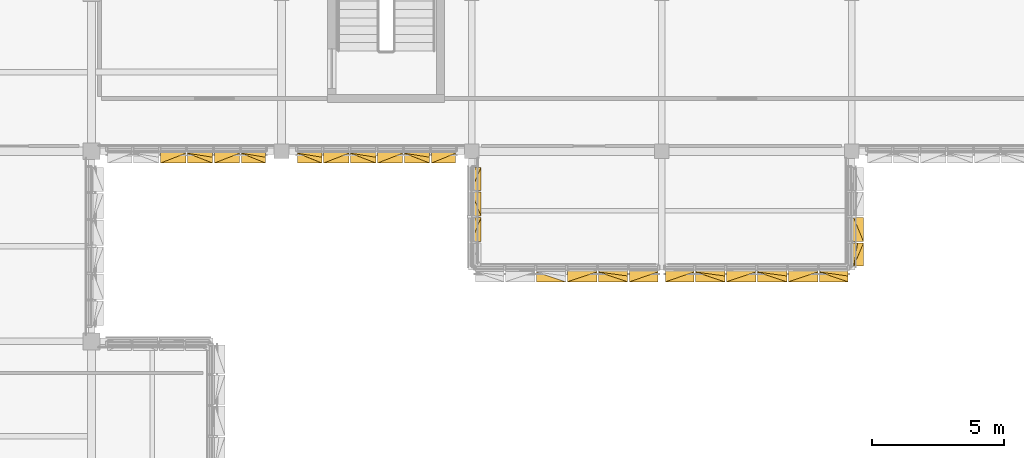
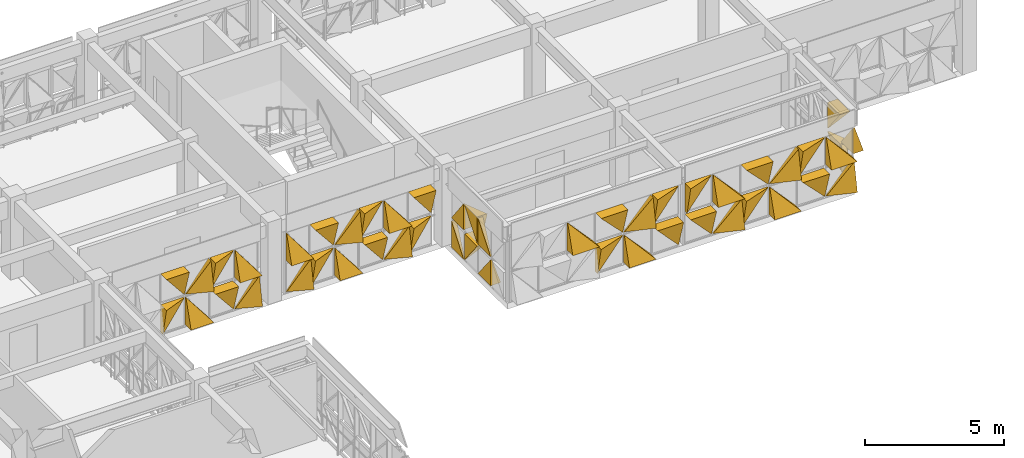
# One storey, part 82 of 85: 49 coverings.
"""IFC4 building model written with IfcOpenShell, lengths in metres."""

from ifc_helpers import new_model, si_unit, direction, frame, origin, place, context, subcontext, project, spatial, polygons, material, layer, layer_set, type_object, element, save


model = new_model("IFC4")

# Units and contexts
model_context = context("Model", 3, precision=1e-05, world=origin(), true_north=direction((0.0, 1.0)))
body_context = subcontext(model_context, "Body", "Model", "MODEL_VIEW")
ifc_project = project(units=[si_unit("LENGTHUNIT", "METRE"), si_unit("AREAUNIT", "SQUARE_METRE"), si_unit("VOLUMEUNIT", "CUBIC_METRE"), si_unit("PLANEANGLEUNIT", "RADIAN"), si_unit("MASSUNIT", "GRAM", prefix="KILO")], contexts=[model_context])

# Site, building, storey
site_placement = place(None, origin())
site = spatial("IfcSite", under=ifc_project, at=site_placement, CompositionType="ELEMENT")
building_placement = place(site_placement, origin())
building = spatial("IfcBuilding", under=site, at=building_placement, Name="Alvorim Cloister Faculty of Sciences", CompositionType="ELEMENT")
storey_placement = place(building_placement, frame((0.0, 0.0, 8.550048828125)))
storey = spatial("IfcBuildingStorey", under=building, at=storey_placement, Name="L02", CompositionType="ELEMENT", Elevation=8.550048828125)

# Coverings
ifc_material = material(Name="Perforated Bronze Alloy Sheet", Category="metal")
ifc_layer = layer(ifc_material, 0.0380859375)
ifc_layer_set = layer_set([ifc_layer], Name="Perforated Bronze Alloy Sheet")
covering_type = type_object("IfcCoveringType", Name="COV-TRI-BRZ", PredefinedType="CLADDING", material=ifc_layer_set)
covering_1_placement = place(storey_placement, frame((57.64501953125, 38.844970703125, 0.139892578125), z_axis=(0.0, 0.0, 1.0), x_axis=(0.0, 1.0, 0.0)))
element("IfcCovering", 1, at=covering_1_placement, inside=storey, type_object=covering_type, Name="Diagonal Solid Metal Triangle TRI-BR", PredefinedType="CLADDING", context=body_context, shape_type="Tessellation", body=[
    polygons([(0.002, 0.0260009765625, 0.0), (0.87255859375, 0.0260009765625, 0.0), (0.87255859375, 0.0260009765625, 1.14106640625), (0.002, -0.03, 0.0), (0.87255859375, -0.4, 0.0), (0.87255859375, -0.18000000000000002, 1.14106640625)], [[[1, 3, 2]], [[4, 5, 6]], [[1, 2, 5, 4]], [[2, 3, 6, 5]], [[3, 1, 4, 6]]], closed=True),
])
covering_2_placement = place(storey_placement, frame((57.64501953125, 38.844970703125, 1.4228515625), z_axis=(0.0, 0.0, 1.0), x_axis=(0.0, 1.0, 0.0)))
element("IfcCovering", 2, at=covering_2_placement, inside=storey, type_object=covering_type, Name="Diagonal Solid Metal Triangle TRI-BL", PredefinedType="CLADDING", context=body_context, shape_type="Tessellation", body=[
    polygons([(0.0, 0.0260009765625, 0.0), (0.87055859375, 0.0260009765625, 0.0), (0.0, 0.0260009765625, 1.14106640625), (0.0, -0.4, 0.0), (0.87055859375, -0.4, 0.0), (0.0, -0.03, 1.14106640625)], [[[1, 3, 2]], [[4, 5, 6]], [[1, 2, 5, 4]], [[2, 3, 6, 5]], [[3, 1, 4, 6]]], closed=True),
])
covering_3_placement = place(storey_placement, frame((57.64501953125, 39.782470703125, 0.139892578125), z_axis=(0.0, 0.0, 1.0), x_axis=(0.0, 1.0, 0.0)))
element("IfcCovering", 3, at=covering_3_placement, inside=storey, type_object=covering_type, Name="Diagonal Solid Metal Triangle TRI-TL", PredefinedType="CLADDING", context=body_context, shape_type="Tessellation", body=[
    polygons([(0.903029296875, 0.0260009765625, 1.14306640625), (0.0, 0.0260009765625, 1.14306640625), (0.0, 0.0260009765625, 0.002), (0.903029296875, -0.03, 1.14306640625), (0.0, -0.4, 1.14306640625), (0.0, -0.13999999999999999, 0.002)], [[[1, 3, 2]], [[4, 5, 6]], [[1, 2, 5, 4]], [[2, 3, 6, 5]], [[3, 1, 4, 6]]], closed=True),
])
covering_4_placement = place(storey_placement, frame((57.64501953125, 39.782470703125, 1.4228515625), z_axis=(0.0, 0.0, 1.0), x_axis=(0.0, 1.0, 0.0)))
element("IfcCovering", 4, at=covering_4_placement, inside=storey, type_object=covering_type, Name="Diagonal Solid Metal Triangle TRI-TR", PredefinedType="CLADDING", context=body_context, shape_type="Tessellation", body=[
    polygons([(0.905029296875, 0.0260009765625, 0.002), (0.905029296875, 0.0260009765625, 1.14306640625), (0.002, 0.0260009765625, 1.14306640625), (0.905029296875, -0.03, 0.002), (0.905029296875, -0.4, 1.14306640625), (0.002, -0.4, 1.14306640625)], [[[1, 3, 2]], [[4, 5, 6]], [[1, 2, 5, 4]], [[2, 3, 6, 5]], [[3, 1, 4, 6]]], closed=True),
])
covering_5_placement = place(storey_placement, frame((50.544921875, 38.655029296875, 0.139892578125), z_axis=(0.0, 0.0, 1.0), x_axis=(1.0, 0.0, 0.0)))
element("IfcCovering", 5, at=covering_5_placement, inside=storey, type_object=covering_type, Name="Diagonal Solid Metal Triangle TRI-TR", PredefinedType="CLADDING", context=body_context, shape_type="Tessellation", body=[
    polygons([(1.075927734375, 0.0260009765625, 0.002), (1.075927734375, 0.0260009765625, 1.218505859375), (0.002, 0.0260009765625, 1.218505859375), (1.075927734375, -0.03, 0.002), (1.075927734375, -0.4, 1.218505859375), (0.002, -0.4, 1.218505859375)], [[[1, 3, 2]], [[4, 5, 6]], [[1, 2, 5, 4]], [[2, 3, 6, 5]], [[3, 1, 4, 6]]], closed=True),
])
covering_6_placement = place(storey_placement, frame((50.544921875, 38.655029296875, 1.49853515625), z_axis=(0.0, 0.0, 1.0), x_axis=(1.0, 0.0, 0.0)))
element("IfcCovering", 6, at=covering_6_placement, inside=storey, type_object=covering_type, Name="Diagonal Solid Metal Triangle TRI-TL", PredefinedType="CLADDING", context=body_context, shape_type="Tessellation", body=[
    polygons([(1.073927734375, 0.0260009765625, 1.218505859375), (0.0, 0.0260009765625, 1.218505859375), (0.0, 0.0260009765625, 0.002), (1.073927734375, -0.03, 1.218505859375), (0.0, -0.4, 1.218505859375), (0.0, -0.13999999999999999, 0.002)], [[[1, 3, 2]], [[4, 5, 6]], [[1, 2, 5, 4]], [[2, 3, 6, 5]], [[3, 1, 4, 6]]], closed=True),
])
covering_7_placement = place(storey_placement, frame((51.685791015625, 38.655029296875, 0.139892578125), z_axis=(0.0, 0.0, 1.0), x_axis=(1.0, 0.0, 0.0)))
element("IfcCovering", 7, at=covering_7_placement, inside=storey, type_object=covering_type, Name="Diagonal Solid Metal Triangle TRI-BR", PredefinedType="CLADDING", context=body_context, shape_type="Tessellation", body=[
    polygons([(0.002, 0.0260009765625, 0.0), (1.1083984375, 0.0260009765625, 0.0), (1.1083984375, 0.0260009765625, 1.216505859375), (0.002, -0.03, 0.0), (1.1083984375, -0.4, 0.0), (1.1083984375, -0.18000000000000002, 1.216505859375)], [[[1, 3, 2]], [[4, 5, 6]], [[1, 2, 5, 4]], [[2, 3, 6, 5]], [[3, 1, 4, 6]]], closed=True),
])
covering_8_placement = place(storey_placement, frame((51.685791015625, 38.655029296875, 1.49853515625), z_axis=(0.0, 0.0, 1.0), x_axis=(1.0, 0.0, 0.0)))
element("IfcCovering", 8, at=covering_8_placement, inside=storey, type_object=covering_type, Name="Diagonal Solid Metal Triangle TRI-BL", PredefinedType="CLADDING", context=body_context, shape_type="Tessellation", body=[
    polygons([(0.0, 0.0260009765625, 0.0), (1.1063984375, 0.0260009765625, 0.0), (0.0, 0.0260009765625, 1.216505859375), (0.0, -0.4, 0.0), (1.1063984375, -0.4, 0.0), (0.0, -0.03, 1.216505859375)], [[[1, 3, 2]], [[4, 5, 6]], [[1, 2, 5, 4]], [[2, 3, 6, 5]], [[3, 1, 4, 6]]], closed=True),
])
covering_9_placement = place(storey_placement, frame((52.859130859375, 38.655029296875, 0.139892578125), z_axis=(0.0, 0.0, 1.0), x_axis=(1.0, 0.0, 0.0)))
element("IfcCovering", 9, at=covering_9_placement, inside=storey, type_object=covering_type, Name="Diagonal Solid Metal Triangle TRI-TL", PredefinedType="CLADDING", context=body_context, shape_type="Tessellation", body=[
    polygons([(1.1063984375, 0.0260009765625, 1.218505859375), (0.0, 0.0260009765625, 1.218505859375), (0.0, 0.0260009765625, 0.002), (1.1063984375, -0.03, 1.218505859375), (0.0, -0.4, 1.218505859375), (0.0, -0.13999999999999999, 0.002)], [[[1, 3, 2]], [[4, 5, 6]], [[1, 2, 5, 4]], [[2, 3, 6, 5]], [[3, 1, 4, 6]]], closed=True),
])
covering_10_placement = place(storey_placement, frame((52.859130859375, 38.655029296875, 1.49853515625), z_axis=(0.0, 0.0, 1.0), x_axis=(1.0, 0.0, 0.0)))
element("IfcCovering", 10, at=covering_10_placement, inside=storey, type_object=covering_type, Name="Diagonal Solid Metal Triangle TRI-TR", PredefinedType="CLADDING", context=body_context, shape_type="Tessellation", body=[
    polygons([(1.1083984375, 0.0260009765625, 0.002), (1.1083984375, 0.0260009765625, 1.218505859375), (0.002, 0.0260009765625, 1.218505859375), (1.1083984375, -0.03, 0.002), (1.1083984375, -0.4, 1.218505859375), (0.002, -0.4, 1.218505859375)], [[[1, 3, 2]], [[4, 5, 6]], [[1, 2, 5, 4]], [[2, 3, 6, 5]], [[3, 1, 4, 6]]], closed=True),
])
covering_11_placement = place(storey_placement, frame((54.032470703125, 38.655029296875, 0.139892578125), z_axis=(0.0, 0.0, 1.0), x_axis=(1.0, 0.0, 0.0)))
element("IfcCovering", 11, at=covering_11_placement, inside=storey, type_object=covering_type, Name="Diagonal Solid Metal Triangle TRI-BL", PredefinedType="CLADDING", context=body_context, shape_type="Tessellation", body=[
    polygons([(0.0, 0.0260009765625, 0.0), (1.1063984375, 0.0260009765625, 0.0), (0.0, 0.0260009765625, 1.216505859375), (0.0, -0.4, 0.0), (1.1063984375, -0.4, 0.0), (0.0, -0.03, 1.216505859375)], [[[1, 3, 2]], [[4, 5, 6]], [[1, 2, 5, 4]], [[2, 3, 6, 5]], [[3, 1, 4, 6]]], closed=True),
])
covering_12_placement = place(storey_placement, frame((54.032470703125, 38.655029296875, 1.49853515625), z_axis=(0.0, 0.0, 1.0), x_axis=(1.0, 0.0, 0.0)))
element("IfcCovering", 12, at=covering_12_placement, inside=storey, type_object=covering_type, Name="Diagonal Solid Metal Triangle TRI-BR", PredefinedType="CLADDING", context=body_context, shape_type="Tessellation", body=[
    polygons([(0.002, 0.0260009765625, 0.0), (1.1083984375, 0.0260009765625, 0.0), (1.1083984375, 0.0260009765625, 1.216505859375), (0.002, -0.03, 0.0), (1.1083984375, -0.4, 0.0), (1.1083984375, -0.18000000000000002, 1.216505859375)], [[[1, 3, 2]], [[4, 5, 6]], [[1, 2, 5, 4]], [[2, 3, 6, 5]], [[3, 1, 4, 6]]], closed=True),
])
covering_13_placement = place(storey_placement, frame((55.205810546875, 38.655029296875, 0.139892578125), z_axis=(0.0, 0.0, 1.0), x_axis=(1.0, 0.0, 0.0)))
element("IfcCovering", 13, at=covering_13_placement, inside=storey, type_object=covering_type, Name="Diagonal Solid Metal Triangle TRI-TR", PredefinedType="CLADDING", context=body_context, shape_type="Tessellation", body=[
    polygons([(1.1083984375, 0.0260009765625, 0.002), (1.1083984375, 0.0260009765625, 1.218505859375), (0.002, 0.0260009765625, 1.218505859375), (1.1083984375, -0.03, 0.002), (1.1083984375, -0.4, 1.218505859375), (0.002, -0.4, 1.218505859375)], [[[1, 3, 2]], [[4, 5, 6]], [[1, 2, 5, 4]], [[2, 3, 6, 5]], [[3, 1, 4, 6]]], closed=True),
])
covering_14_placement = place(storey_placement, frame((55.205810546875, 38.655029296875, 1.49853515625), z_axis=(0.0, 0.0, 1.0), x_axis=(1.0, 0.0, 0.0)))
element("IfcCovering", 14, at=covering_14_placement, inside=storey, type_object=covering_type, Name="Diagonal Solid Metal Triangle TRI-TL", PredefinedType="CLADDING", context=body_context, shape_type="Tessellation", body=[
    polygons([(1.1063984375, 0.0260009765625, 1.218505859375), (0.0, 0.0260009765625, 1.218505859375), (0.0, 0.0260009765625, 0.002), (1.1063984375, -0.03, 1.218505859375), (0.0, -0.4, 1.218505859375), (0.0, -0.13999999999999999, 0.002)], [[[1, 3, 2]], [[4, 5, 6]], [[1, 2, 5, 4]], [[2, 3, 6, 5]], [[3, 1, 4, 6]]], closed=True),
])
covering_15_placement = place(storey_placement, frame((56.379150390625, 38.655029296875, 0.139892578125), z_axis=(0.0, 0.0, 1.0), x_axis=(1.0, 0.0, 0.0)))
element("IfcCovering", 15, at=covering_15_placement, inside=storey, type_object=covering_type, Name="Diagonal Solid Metal Triangle TRI-BR", PredefinedType="CLADDING", context=body_context, shape_type="Tessellation", body=[
    polygons([(0.002, 0.0260009765625, 0.0), (1.075927734375, 0.0260009765625, 0.0), (1.075927734375, 0.0260009765625, 1.216505859375), (0.002, -0.03, 0.0), (1.075927734375, -0.4, 0.0), (1.075927734375, -0.18000000000000002, 1.216505859375)], [[[1, 3, 2]], [[4, 5, 6]], [[1, 2, 5, 4]], [[2, 3, 6, 5]], [[3, 1, 4, 6]]], closed=True),
])
covering_16_placement = place(storey_placement, frame((56.379150390625, 38.655029296875, 1.49853515625), z_axis=(0.0, 0.0, 1.0), x_axis=(1.0, 0.0, 0.0)))
element("IfcCovering", 16, at=covering_16_placement, inside=storey, type_object=covering_type, Name="Diagonal Solid Metal Triangle TRI-BL", PredefinedType="CLADDING", context=body_context, shape_type="Tessellation", body=[
    polygons([(0.0, 0.0260009765625, 0.0), (1.073927734375, 0.0260009765625, 0.0), (0.0, 0.0260009765625, 1.216505859375), (0.0, -0.4, 0.0), (1.073927734375, -0.4, 0.0), (0.0, -0.03, 1.216505859375)], [[[1, 3, 2]], [[4, 5, 6]], [[1, 2, 5, 4]], [[2, 3, 6, 5]], [[3, 1, 4, 6]]], closed=True),
])
covering_17_placement = place(storey_placement, frame((45.6591796875, 38.655029296875, 1.49853515625), z_axis=(0.0, 0.0, 1.0), x_axis=(1.0, 0.0, 0.0)))
element("IfcCovering", 17, at=covering_17_placement, inside=storey, type_object=covering_type, Name="Diagonal Solid Metal Triangle TRI-BL", PredefinedType="CLADDING", context=body_context, shape_type="Tessellation", body=[
    polygons([(0.0, 0.0260009765625, 0.0), (1.1063984375, 0.0260009765625, 0.0), (0.0, 0.0260009765625, 1.216505859375), (0.0, -0.4, 0.0), (1.1063984375, -0.4, 0.0), (0.0, -0.03, 1.216505859375)], [[[1, 3, 2]], [[4, 5, 6]], [[1, 2, 5, 4]], [[2, 3, 6, 5]], [[3, 1, 4, 6]]], closed=True),
])
covering_18_placement = place(storey_placement, frame((46.83251953125, 38.655029296875, 0.139892578125), z_axis=(0.0, 0.0, 1.0), x_axis=(1.0, 0.0, 0.0)))
element("IfcCovering", 18, at=covering_18_placement, inside=storey, type_object=covering_type, Name="Diagonal Solid Metal Triangle TRI-TL", PredefinedType="CLADDING", context=body_context, shape_type="Tessellation", body=[
    polygons([(1.1063984375, 0.0260009765625, 1.218505859375), (0.0, 0.0260009765625, 1.218505859375), (0.0, 0.0260009765625, 0.002), (1.1063984375, -0.03, 1.218505859375), (0.0, -0.4, 1.218505859375), (0.0, -0.13999999999999999, 0.002)], [[[1, 3, 2]], [[4, 5, 6]], [[1, 2, 5, 4]], [[2, 3, 6, 5]], [[3, 1, 4, 6]]], closed=True),
])
covering_19_placement = place(storey_placement, frame((46.83251953125, 38.655029296875, 1.49853515625), z_axis=(0.0, 0.0, 1.0), x_axis=(1.0, 0.0, 0.0)))
element("IfcCovering", 19, at=covering_19_placement, inside=storey, type_object=covering_type, Name="Diagonal Solid Metal Triangle TRI-TR", PredefinedType="CLADDING", context=body_context, shape_type="Tessellation", body=[
    polygons([(1.1083984375, 0.0260009765625, 0.002), (1.1083984375, 0.0260009765625, 1.218505859375), (0.002, 0.0260009765625, 1.218505859375), (1.1083984375, -0.03, 0.002), (1.1083984375, -0.4, 1.218505859375), (0.002, -0.4, 1.218505859375)], [[[1, 3, 2]], [[4, 5, 6]], [[1, 2, 5, 4]], [[2, 3, 6, 5]], [[3, 1, 4, 6]]], closed=True),
])
covering_20_placement = place(storey_placement, frame((48.005859375, 38.655029296875, 0.139892578125), z_axis=(0.0, 0.0, 1.0), x_axis=(1.0, 0.0, 0.0)))
element("IfcCovering", 20, at=covering_20_placement, inside=storey, type_object=covering_type, Name="Diagonal Solid Metal Triangle TRI-BL", PredefinedType="CLADDING", context=body_context, shape_type="Tessellation", body=[
    polygons([(0.0, 0.0260009765625, 0.0), (1.1063984375, 0.0260009765625, 0.0), (0.0, 0.0260009765625, 1.216505859375), (0.0, -0.4, 0.0), (1.1063984375, -0.4, 0.0), (0.0, -0.03, 1.216505859375)], [[[1, 3, 2]], [[4, 5, 6]], [[1, 2, 5, 4]], [[2, 3, 6, 5]], [[3, 1, 4, 6]]], closed=True),
])
covering_21_placement = place(storey_placement, frame((48.005859375, 38.655029296875, 1.49853515625), z_axis=(0.0, 0.0, 1.0), x_axis=(1.0, 0.0, 0.0)))
element("IfcCovering", 21, at=covering_21_placement, inside=storey, type_object=covering_type, Name="Diagonal Solid Metal Triangle TRI-BR", PredefinedType="CLADDING", context=body_context, shape_type="Tessellation", body=[
    polygons([(0.002, 0.0260009765625, 0.0), (1.1083984375, 0.0260009765625, 0.0), (1.1083984375, 0.0260009765625, 1.216505859375), (0.002, -0.03, 0.0), (1.1083984375, -0.4, 0.0), (1.1083984375, -0.18000000000000002, 1.216505859375)], [[[1, 3, 2]], [[4, 5, 6]], [[1, 2, 5, 4]], [[2, 3, 6, 5]], [[3, 1, 4, 6]]], closed=True),
])
covering_22_placement = place(storey_placement, frame((49.17919921875, 38.655029296875, 0.139892578125), z_axis=(0.0, 0.0, 1.0), x_axis=(1.0, 0.0, 0.0)))
element("IfcCovering", 22, at=covering_22_placement, inside=storey, type_object=covering_type, Name="Diagonal Solid Metal Triangle TRI-TR", PredefinedType="CLADDING", context=body_context, shape_type="Tessellation", body=[
    polygons([(1.075927734375, 0.0260009765625, 0.002), (1.075927734375, 0.0260009765625, 1.218505859375), (0.002, 0.0260009765625, 1.218505859375), (1.075927734375, -0.03, 0.002), (1.075927734375, -0.4, 1.218505859375), (0.002, -0.4, 1.218505859375)], [[[1, 3, 2]], [[4, 5, 6]], [[1, 2, 5, 4]], [[2, 3, 6, 5]], [[3, 1, 4, 6]]], closed=True),
])
covering_23_placement = place(storey_placement, frame((49.17919921875, 38.655029296875, 1.49853515625), z_axis=(0.0, 0.0, 1.0), x_axis=(1.0, 0.0, 0.0)))
element("IfcCovering", 23, at=covering_23_placement, inside=storey, type_object=covering_type, Name="Diagonal Solid Metal Triangle TRI-TL", PredefinedType="CLADDING", context=body_context, shape_type="Tessellation", body=[
    polygons([(1.073927734375, 0.0260009765625, 1.218505859375), (0.0, 0.0260009765625, 1.218505859375), (0.0, 0.0260009765625, 0.002), (1.073927734375, -0.03, 1.218505859375), (0.0, -0.4, 1.218505859375), (0.0, -0.13999999999999999, 0.002)], [[[1, 3, 2]], [[4, 5, 6]], [[1, 2, 5, 4]], [[2, 3, 6, 5]], [[3, 1, 4, 6]]], closed=True),
])
covering_24_placement = place(storey_placement, frame((43.155029296875, 39.782470703125, 0.139892578125), z_axis=(0.0, 0.0, 1.0), x_axis=(0.0, 1.0, 0.0)))
element("IfcCovering", 24, at=covering_24_placement, inside=storey, type_object=covering_type, Name="Diagonal Solid Metal Triangle TRI-BL", PredefinedType="CLADDING", context=body_context, shape_type="Tessellation", body=[
    polygons([(0.0, 0.0260009765625, 0.0), (0.903029296875, 0.0260009765625, 0.0), (0.0, 0.0260009765625, 1.14106640625), (0.0, -0.4, 0.0), (0.903029296875, -0.4, 0.0), (0.0, -0.03, 1.14106640625)], [[[1, 3, 2]], [[4, 5, 6]], [[1, 2, 5, 4]], [[2, 3, 6, 5]], [[3, 1, 4, 6]]], closed=True),
])
covering_25_placement = place(storey_placement, frame((43.155029296875, 39.782470703125, 1.4228515625), z_axis=(0.0, 0.0, 1.0), x_axis=(0.0, 1.0, 0.0)))
element("IfcCovering", 25, at=covering_25_placement, inside=storey, type_object=covering_type, Name="Diagonal Solid Metal Triangle TRI-BR", PredefinedType="CLADDING", context=body_context, shape_type="Tessellation", body=[
    polygons([(0.002, 0.0260009765625, 0.0), (0.905029296875, 0.0260009765625, 0.0), (0.905029296875, 0.0260009765625, 1.14106640625), (0.002, -0.03, 0.0), (0.905029296875, -0.4, 0.0), (0.905029296875, -0.18000000000000002, 1.14106640625)], [[[1, 3, 2]], [[4, 5, 6]], [[1, 2, 5, 4]], [[2, 3, 6, 5]], [[3, 1, 4, 6]]], closed=True),
])
covering_26_placement = place(storey_placement, frame((43.155029296875, 40.75244140625, 0.139892578125), z_axis=(0.0, 0.0, 1.0), x_axis=(0.0, 1.0, 0.0)))
element("IfcCovering", 26, at=covering_26_placement, inside=storey, type_object=covering_type, Name="Diagonal Solid Metal Triangle TRI-TR", PredefinedType="CLADDING", context=body_context, shape_type="Tessellation", body=[
    polygons([(0.905029296875, 0.0260009765625, 0.002), (0.905029296875, 0.0260009765625, 1.14306640625), (0.002, 0.0260009765625, 1.14306640625), (0.905029296875, -0.03, 0.002), (0.905029296875, -0.4, 1.14306640625), (0.002, -0.4, 1.14306640625)], [[[1, 3, 2]], [[4, 5, 6]], [[1, 2, 5, 4]], [[2, 3, 6, 5]], [[3, 1, 4, 6]]], closed=True),
])
covering_27_placement = place(storey_placement, frame((43.155029296875, 40.75244140625, 1.4228515625), z_axis=(0.0, 0.0, 1.0), x_axis=(0.0, 1.0, 0.0)))
element("IfcCovering", 27, at=covering_27_placement, inside=storey, type_object=covering_type, Name="Diagonal Solid Metal Triangle TRI-TL", PredefinedType="CLADDING", context=body_context, shape_type="Tessellation", body=[
    polygons([(0.903029296875, 0.0260009765625, 1.14306640625), (0.0, 0.0260009765625, 1.14306640625), (0.0, 0.0260009765625, 0.002), (0.903029296875, -0.03, 1.14306640625), (0.0, -0.4, 1.14306640625), (0.0, -0.13999999999999999, 0.002)], [[[1, 3, 2]], [[4, 5, 6]], [[1, 2, 5, 4]], [[2, 3, 6, 5]], [[3, 1, 4, 6]]], closed=True),
])
covering_28_placement = place(storey_placement, frame((43.155029296875, 41.722412109375, 0.139892578125), z_axis=(0.0, 0.0, 1.0), x_axis=(0.0, 1.0, 0.0)))
element("IfcCovering", 28, at=covering_28_placement, inside=storey, type_object=covering_type, Name="Diagonal Solid Metal Triangle TRI-BR", PredefinedType="CLADDING", context=body_context, shape_type="Tessellation", body=[
    polygons([(0.002, 0.0260009765625, 0.0), (0.87255859375, 0.0260009765625, 0.0), (0.87255859375, 0.0260009765625, 1.14106640625), (0.002, -0.03, 0.0), (0.87255859375, -0.4, 0.0), (0.87255859375, -0.18000000000000002, 1.14106640625)], [[[1, 3, 2]], [[4, 5, 6]], [[1, 2, 5, 4]], [[2, 3, 6, 5]], [[3, 1, 4, 6]]], closed=True),
])
covering_29_placement = place(storey_placement, frame((43.155029296875, 41.722412109375, 1.4228515625), z_axis=(0.0, 0.0, 1.0), x_axis=(0.0, 1.0, 0.0)))
element("IfcCovering", 29, at=covering_29_placement, inside=storey, type_object=covering_type, Name="Diagonal Solid Metal Triangle TRI-BL", PredefinedType="CLADDING", context=body_context, shape_type="Tessellation", body=[
    polygons([(0.0, 0.0260009765625, 0.0), (0.87055859375, 0.0260009765625, 0.0), (0.0, 0.0260009765625, 1.14106640625), (0.0, -0.4, 0.0), (0.87055859375, -0.4, 0.0), (0.0, -0.03, 1.14106640625)], [[[1, 3, 2]], [[4, 5, 6]], [[1, 2, 5, 4]], [[2, 3, 6, 5]], [[3, 1, 4, 6]]], closed=True),
])
covering_30_placement = place(storey_placement, frame((36.60498046875, 43.155029296875, 0.139892578125), z_axis=(0.0, 0.0, 1.0), x_axis=(1.0, 0.0, 0.0)))
element("IfcCovering", 30, at=covering_30_placement, inside=storey, type_object=covering_type, Name="Diagonal Solid Metal Triangle TRI-BR", PredefinedType="CLADDING", context=body_context, shape_type="Tessellation", body=[
    polygons([(0.002, 0.0260009765625, 0.0), (0.922607421875, 0.0260009765625, 0.0), (0.922607421875, 0.0260009765625, 1.213087890625), (0.002, -0.03, 0.0), (0.922607421875, -0.4, 0.0), (0.922607421875, -0.18000000000000002, 1.213087890625)], [[[1, 3, 2]], [[4, 5, 6]], [[1, 2, 5, 4]], [[2, 3, 6, 5]], [[3, 1, 4, 6]]], closed=True),
])
covering_31_placement = place(storey_placement, frame((36.60498046875, 43.155029296875, 1.494873046875), z_axis=(0.0, 0.0, 1.0), x_axis=(1.0, 0.0, 0.0)))
element("IfcCovering", 31, at=covering_31_placement, inside=storey, type_object=covering_type, Name="Diagonal Solid Metal Triangle TRI-BL", PredefinedType="CLADDING", context=body_context, shape_type="Tessellation", body=[
    polygons([(0.0, 0.0260009765625, 0.0), (0.920607421875, 0.0260009765625, 0.0), (0.0, 0.0260009765625, 1.213087890625), (0.0, -0.4, 0.0), (0.920607421875, -0.4, 0.0), (0.0, -0.03, 1.213087890625)], [[[1, 3, 2]], [[4, 5, 6]], [[1, 2, 5, 4]], [[2, 3, 6, 5]], [[3, 1, 4, 6]]], closed=True),
])
covering_32_placement = place(storey_placement, frame((37.592529296875, 43.155029296875, 0.139892578125), z_axis=(0.0, 0.0, 1.0), x_axis=(1.0, 0.0, 0.0)))
element("IfcCovering", 32, at=covering_32_placement, inside=storey, type_object=covering_type, Name="Diagonal Solid Metal Triangle TRI-TL", PredefinedType="CLADDING", context=body_context, shape_type="Tessellation", body=[
    polygons([(0.953078125, 0.0260009765625, 1.215087890625), (0.0, 0.0260009765625, 1.215087890625), (0.0, 0.0260009765625, 0.002), (0.953078125, -0.03, 1.215087890625), (0.0, -0.4, 1.215087890625), (0.0, -0.13999999999999999, 0.002)], [[[1, 3, 2]], [[4, 5, 6]], [[1, 2, 5, 4]], [[2, 3, 6, 5]], [[3, 1, 4, 6]]], closed=True),
])
covering_33_placement = place(storey_placement, frame((37.592529296875, 43.155029296875, 1.494873046875), z_axis=(0.0, 0.0, 1.0), x_axis=(1.0, 0.0, 0.0)))
element("IfcCovering", 33, at=covering_33_placement, inside=storey, type_object=covering_type, Name="Diagonal Solid Metal Triangle TRI-TR", PredefinedType="CLADDING", context=body_context, shape_type="Tessellation", body=[
    polygons([(0.955078125, 0.0260009765625, 0.002), (0.955078125, 0.0260009765625, 1.215087890625), (0.002, 0.0260009765625, 1.215087890625), (0.955078125, -0.03, 0.002), (0.955078125, -0.4, 1.215087890625), (0.002, -0.4, 1.215087890625)], [[[1, 3, 2]], [[4, 5, 6]], [[1, 2, 5, 4]], [[2, 3, 6, 5]], [[3, 1, 4, 6]]], closed=True),
])
covering_34_placement = place(storey_placement, frame((38.612548828125, 43.155029296875, 0.139892578125), z_axis=(0.0, 0.0, 1.0), x_axis=(1.0, 0.0, 0.0)))
element("IfcCovering", 34, at=covering_34_placement, inside=storey, type_object=covering_type, Name="Diagonal Solid Metal Triangle TRI-BL", PredefinedType="CLADDING", context=body_context, shape_type="Tessellation", body=[
    polygons([(0.0, 0.0260009765625, 0.0), (0.953078125, 0.0260009765625, 0.0), (0.0, 0.0260009765625, 1.213087890625), (0.0, -0.4, 0.0), (0.953078125, -0.4, 0.0), (0.0, -0.03, 1.213087890625)], [[[1, 3, 2]], [[4, 5, 6]], [[1, 2, 5, 4]], [[2, 3, 6, 5]], [[3, 1, 4, 6]]], closed=True),
])
covering_35_placement = place(storey_placement, frame((38.612548828125, 43.155029296875, 1.494873046875), z_axis=(0.0, 0.0, 1.0), x_axis=(1.0, 0.0, 0.0)))
element("IfcCovering", 35, at=covering_35_placement, inside=storey, type_object=covering_type, Name="Diagonal Solid Metal Triangle TRI-BR", PredefinedType="CLADDING", context=body_context, shape_type="Tessellation", body=[
    polygons([(0.002, 0.0260009765625, 0.0), (0.955078125, 0.0260009765625, 0.0), (0.955078125, 0.0260009765625, 1.213087890625), (0.002, -0.03, 0.0), (0.955078125, -0.4, 0.0), (0.955078125, -0.18000000000000002, 1.213087890625)], [[[1, 3, 2]], [[4, 5, 6]], [[1, 2, 5, 4]], [[2, 3, 6, 5]], [[3, 1, 4, 6]]], closed=True),
])
covering_36_placement = place(storey_placement, frame((39.632568359375, 43.155029296875, 0.139892578125), z_axis=(0.0, 0.0, 1.0), x_axis=(1.0, 0.0, 0.0)))
element("IfcCovering", 36, at=covering_36_placement, inside=storey, type_object=covering_type, Name="Diagonal Solid Metal Triangle TRI-TR", PredefinedType="CLADDING", context=body_context, shape_type="Tessellation", body=[
    polygons([(0.955078125, 0.0260009765625, 0.002), (0.955078125, 0.0260009765625, 1.215087890625), (0.002, 0.0260009765625, 1.215087890625), (0.955078125, -0.03, 0.002), (0.955078125, -0.4, 1.215087890625), (0.002, -0.4, 1.215087890625)], [[[1, 3, 2]], [[4, 5, 6]], [[1, 2, 5, 4]], [[2, 3, 6, 5]], [[3, 1, 4, 6]]], closed=True),
])
covering_37_placement = place(storey_placement, frame((39.632568359375, 43.155029296875, 1.494873046875), z_axis=(0.0, 0.0, 1.0), x_axis=(1.0, 0.0, 0.0)))
element("IfcCovering", 37, at=covering_37_placement, inside=storey, type_object=covering_type, Name="Diagonal Solid Metal Triangle TRI-TL", PredefinedType="CLADDING", context=body_context, shape_type="Tessellation", body=[
    polygons([(0.953078125, 0.0260009765625, 1.215087890625), (0.0, 0.0260009765625, 1.215087890625), (0.0, 0.0260009765625, 0.002), (0.953078125, -0.03, 1.215087890625), (0.0, -0.4, 1.215087890625), (0.0, -0.13999999999999999, 0.002)], [[[1, 3, 2]], [[4, 5, 6]], [[1, 2, 5, 4]], [[2, 3, 6, 5]], [[3, 1, 4, 6]]], closed=True),
])
covering_38_placement = place(storey_placement, frame((40.652587890625, 43.155029296875, 0.139892578125), z_axis=(0.0, 0.0, 1.0), x_axis=(1.0, 0.0, 0.0)))
element("IfcCovering", 38, at=covering_38_placement, inside=storey, type_object=covering_type, Name="Diagonal Solid Metal Triangle TRI-BR", PredefinedType="CLADDING", context=body_context, shape_type="Tessellation", body=[
    polygons([(0.002, 0.0260009765625, 0.0), (0.955078125, 0.0260009765625, 0.0), (0.955078125, 0.0260009765625, 1.213087890625), (0.002, -0.03, 0.0), (0.955078125, -0.4, 0.0), (0.955078125, -0.18000000000000002, 1.213087890625)], [[[1, 3, 2]], [[4, 5, 6]], [[1, 2, 5, 4]], [[2, 3, 6, 5]], [[3, 1, 4, 6]]], closed=True),
])
covering_39_placement = place(storey_placement, frame((40.652587890625, 43.155029296875, 1.494873046875), z_axis=(0.0, 0.0, 1.0), x_axis=(1.0, 0.0, 0.0)))
element("IfcCovering", 39, at=covering_39_placement, inside=storey, type_object=covering_type, Name="Diagonal Solid Metal Triangle TRI-BL", PredefinedType="CLADDING", context=body_context, shape_type="Tessellation", body=[
    polygons([(0.0, 0.0260009765625, 0.0), (0.953078125, 0.0260009765625, 0.0), (0.0, 0.0260009765625, 1.213087890625), (0.0, -0.4, 0.0), (0.953078125, -0.4, 0.0), (0.0, -0.03, 1.213087890625)], [[[1, 3, 2]], [[4, 5, 6]], [[1, 2, 5, 4]], [[2, 3, 6, 5]], [[3, 1, 4, 6]]], closed=True),
])
covering_40_placement = place(storey_placement, frame((41.672607421875, 43.155029296875, 0.139892578125), z_axis=(0.0, 0.0, 1.0), x_axis=(1.0, 0.0, 0.0)))
element("IfcCovering", 40, at=covering_40_placement, inside=storey, type_object=covering_type, Name="Diagonal Solid Metal Triangle TRI-TL", PredefinedType="CLADDING", context=body_context, shape_type="Tessellation", body=[
    polygons([(0.920607421875, 0.0260009765625, 1.215087890625), (0.0, 0.0260009765625, 1.215087890625), (0.0, 0.0260009765625, 0.002), (0.920607421875, -0.03, 1.215087890625), (0.0, -0.4, 1.215087890625), (0.0, -0.13999999999999999, 0.002)], [[[1, 3, 2]], [[4, 5, 6]], [[1, 2, 5, 4]], [[2, 3, 6, 5]], [[3, 1, 4, 6]]], closed=True),
])
covering_41_placement = place(storey_placement, frame((41.672607421875, 43.155029296875, 1.494873046875), z_axis=(0.0, 0.0, 1.0), x_axis=(1.0, 0.0, 0.0)))
element("IfcCovering", 41, at=covering_41_placement, inside=storey, type_object=covering_type, Name="Diagonal Solid Metal Triangle TRI-TR", PredefinedType="CLADDING", context=body_context, shape_type="Tessellation", body=[
    polygons([(0.922607421875, 0.0260009765625, 0.002), (0.922607421875, 0.0260009765625, 1.215087890625), (0.002, 0.0260009765625, 1.215087890625), (0.922607421875, -0.03, 0.002), (0.922607421875, -0.4, 1.215087890625), (0.002, -0.4, 1.215087890625)], [[[1, 3, 2]], [[4, 5, 6]], [[1, 2, 5, 4]], [[2, 3, 6, 5]], [[3, 1, 4, 6]]], closed=True),
])
covering_42_placement = place(storey_placement, frame((31.41259765625, 43.155029296875, 0.139892578125), z_axis=(0.0, 0.0, 1.0), x_axis=(1.0, 0.0, 0.0)))
element("IfcCovering", 42, at=covering_42_placement, inside=storey, type_object=covering_type, Name="Diagonal Solid Metal Triangle TRI-TL", PredefinedType="CLADDING", context=body_context, shape_type="Tessellation", body=[
    polygons([(0.953078125, 0.0260009765625, 1.215087890625), (0.0, 0.0260009765625, 1.215087890625), (0.0, 0.0260009765625, 0.002), (0.953078125, -0.03, 1.215087890625), (0.0, -0.4, 1.215087890625), (0.0, -0.13999999999999999, 0.002)], [[[1, 3, 2]], [[4, 5, 6]], [[1, 2, 5, 4]], [[2, 3, 6, 5]], [[3, 1, 4, 6]]], closed=True),
])
covering_43_placement = place(storey_placement, frame((31.41259765625, 43.155029296875, 1.494873046875), z_axis=(0.0, 0.0, 1.0), x_axis=(1.0, 0.0, 0.0)))
element("IfcCovering", 43, at=covering_43_placement, inside=storey, type_object=covering_type, Name="Diagonal Solid Metal Triangle TRI-TR", PredefinedType="CLADDING", context=body_context, shape_type="Tessellation", body=[
    polygons([(0.955078125, 0.0260009765625, 0.002), (0.955078125, 0.0260009765625, 1.215087890625), (0.002, 0.0260009765625, 1.215087890625), (0.955078125, -0.03, 0.002), (0.955078125, -0.4, 1.215087890625), (0.002, -0.4, 1.215087890625)], [[[1, 3, 2]], [[4, 5, 6]], [[1, 2, 5, 4]], [[2, 3, 6, 5]], [[3, 1, 4, 6]]], closed=True),
])
covering_44_placement = place(storey_placement, frame((32.4326171875, 43.155029296875, 0.139892578125), z_axis=(0.0, 0.0, 1.0), x_axis=(1.0, 0.0, 0.0)))
element("IfcCovering", 44, at=covering_44_placement, inside=storey, type_object=covering_type, Name="Diagonal Solid Metal Triangle TRI-BL", PredefinedType="CLADDING", context=body_context, shape_type="Tessellation", body=[
    polygons([(0.0, 0.0260009765625, 0.0), (0.953078125, 0.0260009765625, 0.0), (0.0, 0.0260009765625, 1.213087890625), (0.0, -0.4, 0.0), (0.953078125, -0.4, 0.0), (0.0, -0.03, 1.213087890625)], [[[1, 3, 2]], [[4, 5, 6]], [[1, 2, 5, 4]], [[2, 3, 6, 5]], [[3, 1, 4, 6]]], closed=True),
])
covering_45_placement = place(storey_placement, frame((32.4326171875, 43.155029296875, 1.494873046875), z_axis=(0.0, 0.0, 1.0), x_axis=(1.0, 0.0, 0.0)))
element("IfcCovering", 45, at=covering_45_placement, inside=storey, type_object=covering_type, Name="Diagonal Solid Metal Triangle TRI-BR", PredefinedType="CLADDING", context=body_context, shape_type="Tessellation", body=[
    polygons([(0.002, 0.0260009765625, 0.0), (0.955078125, 0.0260009765625, 0.0), (0.955078125, 0.0260009765625, 1.213087890625), (0.002, -0.03, 0.0), (0.955078125, -0.4, 0.0), (0.955078125, -0.18000000000000002, 1.213087890625)], [[[1, 3, 2]], [[4, 5, 6]], [[1, 2, 5, 4]], [[2, 3, 6, 5]], [[3, 1, 4, 6]]], closed=True),
])
covering_46_placement = place(storey_placement, frame((33.452392578125, 43.155029296875, 0.139892578125), z_axis=(0.0, 0.0, 1.0), x_axis=(1.0, 0.0, 0.0)))
element("IfcCovering", 46, at=covering_46_placement, inside=storey, type_object=covering_type, Name="Diagonal Solid Metal Triangle TRI-TR", PredefinedType="CLADDING", context=body_context, shape_type="Tessellation", body=[
    polygons([(0.955078125, 0.0260009765625, 0.002), (0.955078125, 0.0260009765625, 1.215087890625), (0.002, 0.0260009765625, 1.215087890625), (0.955078125, -0.03, 0.002), (0.955078125, -0.4, 1.215087890625), (0.002, -0.4, 1.215087890625)], [[[1, 3, 2]], [[4, 5, 6]], [[1, 2, 5, 4]], [[2, 3, 6, 5]], [[3, 1, 4, 6]]], closed=True),
])
covering_47_placement = place(storey_placement, frame((33.452392578125, 43.155029296875, 1.494873046875), z_axis=(0.0, 0.0, 1.0), x_axis=(1.0, 0.0, 0.0)))
element("IfcCovering", 47, at=covering_47_placement, inside=storey, type_object=covering_type, Name="Diagonal Solid Metal Triangle TRI-TL", PredefinedType="CLADDING", context=body_context, shape_type="Tessellation", body=[
    polygons([(0.953078125, 0.0260009765625, 1.215087890625), (0.0, 0.0260009765625, 1.215087890625), (0.0, 0.0260009765625, 0.002), (0.953078125, -0.03, 1.215087890625), (0.0, -0.4, 1.215087890625), (0.0, -0.13999999999999999, 0.002)], [[[1, 3, 2]], [[4, 5, 6]], [[1, 2, 5, 4]], [[2, 3, 6, 5]], [[3, 1, 4, 6]]], closed=True),
])
covering_48_placement = place(storey_placement, frame((34.472412109375, 43.155029296875, 0.139892578125), z_axis=(0.0, 0.0, 1.0), x_axis=(1.0, 0.0, 0.0)))
element("IfcCovering", 48, at=covering_48_placement, inside=storey, type_object=covering_type, Name="Diagonal Solid Metal Triangle TRI-BR", PredefinedType="CLADDING", context=body_context, shape_type="Tessellation", body=[
    polygons([(0.002, 0.0260009765625, 0.0), (0.922607421875, 0.0260009765625, 0.0), (0.922607421875, 0.0260009765625, 1.213087890625), (0.002, -0.03, 0.0), (0.922607421875, -0.4, 0.0), (0.922607421875, -0.18000000000000002, 1.213087890625)], [[[1, 3, 2]], [[4, 5, 6]], [[1, 2, 5, 4]], [[2, 3, 6, 5]], [[3, 1, 4, 6]]], closed=True),
])
covering_49_placement = place(storey_placement, frame((34.472412109375, 43.155029296875, 1.494873046875), z_axis=(0.0, 0.0, 1.0), x_axis=(1.0, 0.0, 0.0)))
element("IfcCovering", 49, at=covering_49_placement, inside=storey, type_object=covering_type, Name="Diagonal Solid Metal Triangle TRI-BL", PredefinedType="CLADDING", context=body_context, shape_type="Tessellation", body=[
    polygons([(0.0, 0.0260009765625, 0.0), (0.920607421875, 0.0260009765625, 0.0), (0.0, 0.0260009765625, 1.213087890625), (0.0, -0.4, 0.0), (0.920607421875, -0.4, 0.0), (0.0, -0.03, 1.213087890625)], [[[1, 3, 2]], [[4, 5, 6]], [[1, 2, 5, 4]], [[2, 3, 6, 5]], [[3, 1, 4, 6]]], closed=True),
])

save(model, "model.ifc")
